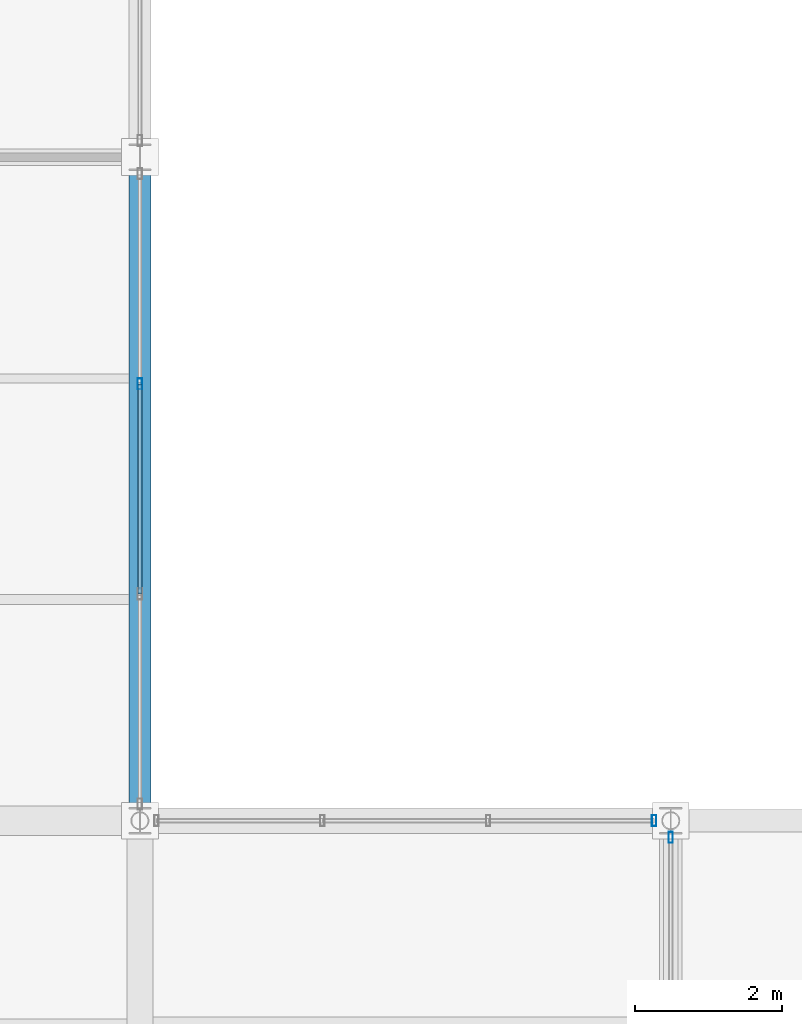
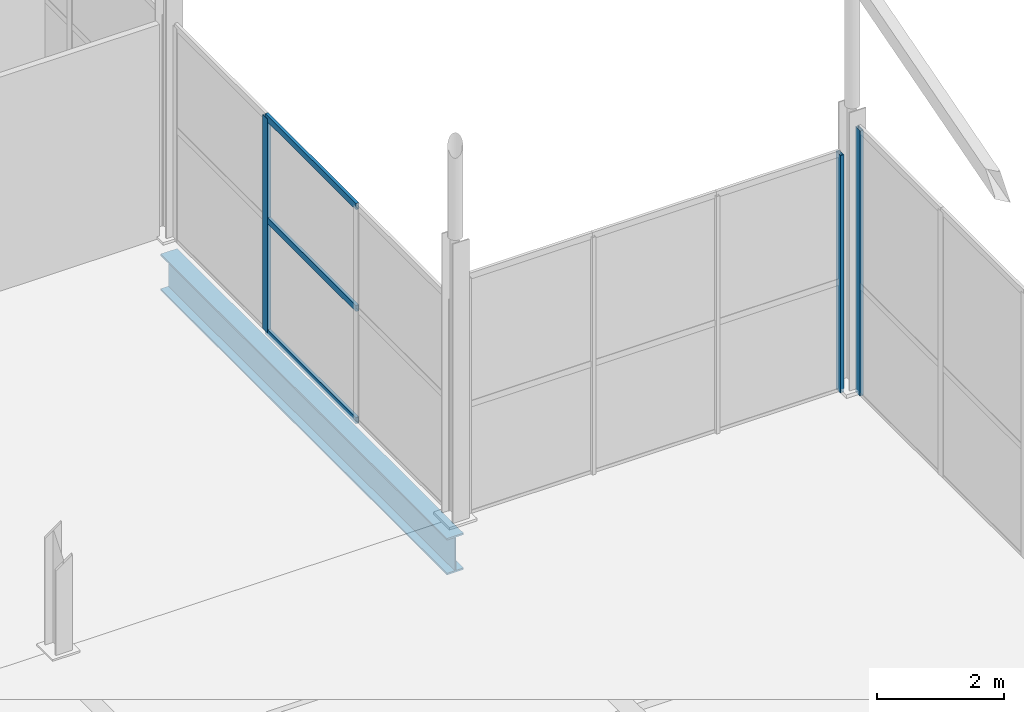
# One storey, part 77 of 141: 6 members, 1 beam, 3 elements without a shape of their own.
"""IFC4 building model written with IfcOpenShell, lengths in metres."""

from ifc_helpers import new_model, si_unit, direction, frame, origin, origin_2d, place, context, subcontext, project, spatial, hollow_rectangle, i_section, extrude, material, layer, layer_set, material_profile, profile_set, type_object, element, aggregate, save


model = new_model("IFC4")

# Units and contexts
model_context = context("Model", 3, precision=1e-05, world=origin(), true_north=direction((0.0, 1.0)))
body_context = subcontext(model_context, "Body", "Model", "MODEL_VIEW")
ifc_project = project(units=[si_unit("LENGTHUNIT", "METRE"), si_unit("AREAUNIT", "SQUARE_METRE"), si_unit("VOLUMEUNIT", "CUBIC_METRE"), si_unit("PLANEANGLEUNIT", "RADIAN"), si_unit("MASSUNIT", "GRAM", prefix="KILO")], contexts=[model_context])

# Site, building, storey
site_placement = place(None, origin())
site = spatial("IfcSite", under=ifc_project, at=site_placement, CompositionType="ELEMENT")
building_placement = place(site_placement, origin())
building = spatial("IfcBuilding", under=site, at=building_placement, Name="Sundgate Opera House", CompositionType="ELEMENT")
storey_placement = place(building_placement, frame((0.0, 0.0, 11.39990234375)))
storey = spatial("IfcBuildingStorey", under=building, at=storey_placement, Name="L02", CompositionType="ELEMENT", Elevation=11.39990234375)

# Beam
ifc_material_1 = material(Name="Steel S355J2", Category="steel")
ifc_material_profile_1 = material_profile(ifc_material_1, i_section(OverallWidth=0.300048828125, OverallDepth=0.699951171875, WebThickness=0.01708984375, FlangeThickness=0.031982421875, at=origin_2d()), Name="HEB 700")
ifc_profile_set_1 = profile_set([ifc_material_profile_1], Name="Steel S355J2")
beam_type = type_object("IfcBeamType", Name="BM-GR-HEB700", PredefinedType="BEAM", material=ifc_profile_set_1)
beam_placement = place(storey_placement, frame((145.800048828125, 33.0, -0.699951171875), z_axis=(0.0, 1.0, 0.0), x_axis=(-1.0, 0.0, 0.0)))
element("IfcBeam", 1, at=beam_placement, inside=storey, type_object=beam_type, Name="L02 Primary N-S Girder B1923", PredefinedType="BEAM", context=body_context, shape_type="SweptSolid", body=[
    extrude(i_section(OverallWidth=0.300048828125, OverallDepth=0.699951171875, WebThickness=0.01708984375, FlangeThickness=0.031982421875, at=origin_2d()), origin(), (0.0, 0.0, 1.0), 9.0),
])

# Curtain wall, member
ifc_material_2 = material(Name="Anodized aluminium and low-iron glass", Category="aluminium")
ifc_layer_1 = layer(ifc_material_2, 0.159912109375)
ifc_layer_set_1 = layer_set([ifc_layer_1], Name="Anodized aluminium and low-iron glass")
curtain_wall_type_1 = type_object("IfcCurtainWallType", Name="CW-STUDIO-DARK", PredefinedType="NOTDEFINED", material=ifc_layer_set_1)
curtain_wall_1_placement = place(storey_placement, origin())
curtain_wall_1 = element("IfcCurtainWall", 2, at=curtain_wall_1_placement, inside=storey, type_object=curtain_wall_type_1, Name="L02 Curtain Wall CW063", PredefinedType="NOTDEFINED")
ifc_material_3 = material(Name="Anodized aluminium EN AW-6063", Category="aluminium")
ifc_material_profile_2 = material_profile(ifc_material_3, hollow_rectangle(XDim=0.06005859375, YDim=0.14990234375, WallThickness=0.00390625, at=origin_2d()), Name="CWM 150x60x4")
ifc_profile_set_2 = profile_set([ifc_material_profile_2], Name="Anodized aluminium EN AW-6063")
member_type_1 = type_object("IfcMemberType", Name="CWM-ALU-150x60", PredefinedType="MULLION", material=ifc_profile_set_2)
member_1_placement = place(storey_placement, frame((145.800048828125, 38.925048828125, 0.0), z_axis=(0.0, 0.0, 1.0), x_axis=(1.0, 0.0, 0.0)))
member_1 = element("IfcMember", 3, at=member_1_placement, type_object=member_type_1, Name="CW063 Mullion 3", PredefinedType="MULLION", context=body_context, shape_type="SweptSolid", body=[
    extrude(hollow_rectangle(XDim=0.06005859375, YDim=0.14990234375, WallThickness=0.00390625, at=origin_2d()), origin(), (0.0, 0.0, 1.0), 4.10498046875),
])

ifc_material_4 = material(Name="Anodized aluminium and low-iron glass", Category="aluminium")
ifc_layer_2 = layer(ifc_material_4, 0.14990234375)
ifc_layer_set_2 = layer_set([ifc_layer_2], Name="Anodized aluminium and low-iron glass")
curtain_wall_type_2 = type_object("IfcCurtainWallType", Name="CW-WORKSHOP-DARK", PredefinedType="NOTDEFINED", material=ifc_layer_set_2)
curtain_wall_2_placement = place(storey_placement, origin())
curtain_wall_2 = element("IfcCurtainWall", 4, at=curtain_wall_2_placement, inside=storey, type_object=curtain_wall_type_2, Name="L02 Curtain Wall CW167", PredefinedType="NOTDEFINED")
member_2_placement = place(storey_placement, frame((153.0, 32.77490234375, 0.0), z_axis=(0.0, 0.0, 1.0), x_axis=(1.0, 0.0, 0.0)))
member_2 = element("IfcMember", 5, at=member_2_placement, type_object=member_type_1, Name="CW167 Mullion 4", PredefinedType="MULLION", context=body_context, shape_type="SweptSolid", body=[
    extrude(hollow_rectangle(XDim=0.06005859375, YDim=0.14990234375, WallThickness=0.00390625, at=origin_2d()), origin(), (0.0, 0.0, 1.0), 5.085205078125),
])
aggregate(curtain_wall_2, [member_2])

curtain_wall_3_placement = place(storey_placement, origin())
curtain_wall_3 = element("IfcCurtainWall", 6, at=curtain_wall_3_placement, inside=storey, type_object=curtain_wall_type_2, Name="L02 Curtain Wall CW168", PredefinedType="NOTDEFINED")
member_3_placement = place(storey_placement, frame((152.77490234375, 33.0, 0.0), z_axis=(0.0, 0.0, 1.0), x_axis=(1.0, 0.0, 0.0)))
member_3 = element("IfcMember", 7, at=member_3_placement, type_object=member_type_1, Name="CW168 Mullion 4", PredefinedType="MULLION", context=body_context, shape_type="SweptSolid", body=[
    extrude(hollow_rectangle(XDim=0.06005859375, YDim=0.14990234375, WallThickness=0.00390625, at=origin_2d()), origin(), (0.0, 0.0, 1.0), 4.55517578125),
])
aggregate(curtain_wall_3, [member_3])

# Member
ifc_material_5 = material(Name="Anodized aluminium EN AW-6063", Category="aluminium")
ifc_material_profile_3 = material_profile(ifc_material_5, hollow_rectangle(XDim=0.054931640625, YDim=0.1201171875, WallThickness=0.00390625, at=origin_2d()), Name="CWT 120x55x4")
ifc_profile_set_3 = profile_set([ifc_material_profile_3], Name="Anodized aluminium EN AW-6063")
member_type_2 = type_object("IfcMemberType", Name="CWT-ALU-120x55", PredefinedType="USERDEFINED", material=ifc_profile_set_3)
member_4_placement = place(storey_placement, frame((145.800048828125, 36.074951171875, 0.0), z_axis=(0.0, 1.0, 0.0), x_axis=(-1.0, 0.0, 0.0)))
member_4 = element("IfcMember", 8, at=member_4_placement, type_object=member_type_2, Name="CW063 Transom 4", ObjectType="TRANSOM", PredefinedType="USERDEFINED", context=body_context, shape_type="SweptSolid", body=[
    extrude(hollow_rectangle(XDim=0.054931640625, YDim=0.1201171875, WallThickness=0.00390625, at=origin_2d()), origin(), (0.0, 0.0, 1.0), 2.85009765625),
])

member_5_placement = place(storey_placement, frame((145.800048828125, 36.074951171875, 2.150146484375), z_axis=(0.0, 1.0, 0.0), x_axis=(-1.0, 0.0, 0.0)))
member_5 = element("IfcMember", 9, at=member_5_placement, type_object=member_type_2, Name="CW063 Transom 5", ObjectType="TRANSOM", PredefinedType="USERDEFINED", context=body_context, shape_type="SweptSolid", body=[
    extrude(hollow_rectangle(XDim=0.054931640625, YDim=0.1201171875, WallThickness=0.00390625, at=origin_2d()), origin(), (0.0, 0.0, 1.0), 2.85009765625),
])

member_6_placement = place(storey_placement, frame((145.800048828125, 36.074951171875, 4.10498046875), z_axis=(0.0, 1.0, 0.0), x_axis=(-1.0, 0.0, 0.0)))
member_6 = element("IfcMember", 10, at=member_6_placement, type_object=member_type_2, Name="CW063 Transom 6", ObjectType="TRANSOM", PredefinedType="USERDEFINED", context=body_context, shape_type="SweptSolid", body=[
    extrude(hollow_rectangle(XDim=0.054931640625, YDim=0.1201171875, WallThickness=0.00390625, at=origin_2d()), origin(), (0.0, 0.0, 1.0), 2.85009765625),
])

aggregate(curtain_wall_1, [member_1, member_4, member_5, member_6])

save(model, "model.ifc")
